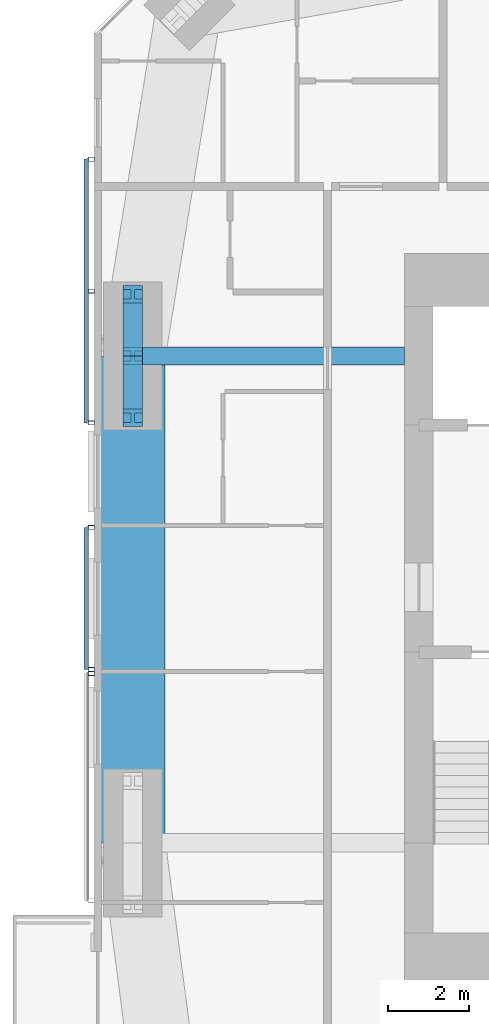
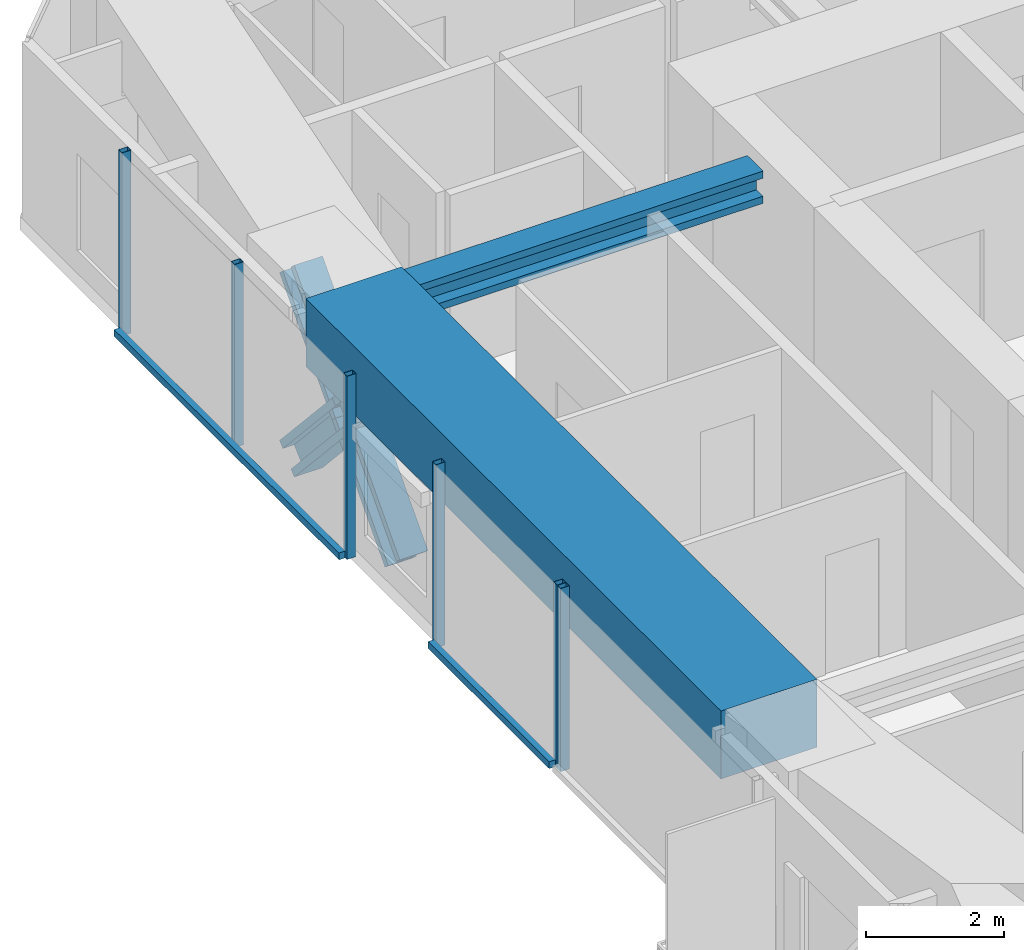
# One storey, part 6 of 23: 12 members, 2 beams, 3 elements without a shape of their own.
"""IFC4 building model written with IfcOpenShell, lengths in metres."""

from ifc_helpers import new_model, si_unit, direction, frame, origin, origin_2d, place, context, subcontext, project, spatial, rectangle, hollow_rectangle, i_section, extrude, material, material_profile, profile_set, type_object, element, aggregate, save


model = new_model("IFC4")

# Units and contexts
model_context = context("Model", 3, precision=1e-05, world=origin(), true_north=direction((0.0, 1.0)))
body_context = subcontext(model_context, "Body", "Model", "MODEL_VIEW")
ifc_project = project(units=[si_unit("LENGTHUNIT", "METRE"), si_unit("AREAUNIT", "SQUARE_METRE"), si_unit("VOLUMEUNIT", "CUBIC_METRE"), si_unit("PLANEANGLEUNIT", "RADIAN"), si_unit("MASSUNIT", "GRAM", prefix="KILO")], contexts=[model_context])

# Site, building, storey
site_placement = place(None, origin())
site = spatial("IfcSite", under=ifc_project, at=site_placement, CompositionType="ELEMENT")
building_placement = place(site_placement, origin())
building = spatial("IfcBuilding", under=site, at=building_placement, Name="Jalousie Tower", CompositionType="ELEMENT")
storey_placement = place(building_placement, frame((0.0, 0.0, 191.199951171875)))
storey = spatial("IfcBuildingStorey", under=building, at=storey_placement, Name="L52", CompositionType="ELEMENT", Elevation=191.199951171875)

# Beam
ifc_material_1 = material(Name="Steel ASTM A992 Grade 50", Category="steel")
ifc_material_profile_1 = material_profile(ifc_material_1, i_section(OverallWidth=0.45458984375, OverallDepth=0.569091796875, WebThickness=0.077880859375, FlangeThickness=0.124755859375, at=origin_2d()), Name="W14X730")
ifc_profile_set_1 = profile_set([ifc_material_profile_1], Name="Steel ASTM A992 Grade 50")
beam_type_1 = type_object("IfcBeamType", Name="LEAN COLLECTOR W14X730", PredefinedType="BEAM", material=ifc_profile_set_1)
beam_1_placement = place(storey_placement, frame((12.949951171875, 25.0, 2.825439453125), z_axis=(1.0, 0.0, 0.0), x_axis=(0.0, 1.0, 0.0)))
element("IfcBeam", 1, at=beam_1_placement, inside=storey, type_object=beam_type_1, Name="Lean collector under L53", PredefinedType="BEAM", context=body_context, shape_type="SweptSolid", body=[
    extrude(i_section(OverallWidth=0.45458984375, OverallDepth=0.569091796875, WebThickness=0.077880859375, FlangeThickness=0.124755859375, at=origin_2d()), origin(), (0.0, 0.0, 1.0), 6.699951171875),
])

# Members
ifc_material_2 = material(Name="Steel ASTM A992 Grade 50", Category="steel")
ifc_material_profile_2 = material_profile(ifc_material_2, i_section(OverallWidth=0.472412109375, OverallDepth=0.5791015625, WebThickness=0.094970703125, FlangeThickness=0.1298828125, at=origin_2d()), Name="W14X808")
ifc_profile_set_2 = profile_set([ifc_material_profile_2], Name="Steel ASTM A992 Grade 50")
member_type_1 = type_object("IfcMemberType", Name="PERIMETER BRACE W14X808", PredefinedType="BRACE", material=ifc_profile_set_2)
for number, where, z_axis, x_axis, name in (
    (2, (12.949951171875, 23.47509765625, -0.599853515625), (0.0, 0.673241284601, 0.739422864611), (-1.0, 0.0, 0.0), "Perimeter brace 13 L52 part 1"),
    (3, (12.949951171875, 25.0, 1.074951171875), (0.0, 0.673187629365, 0.739471713908), (-1.0, 0.0, 0.0), "Perimeter brace 13 L52 part 2"),
    (4, (12.949951171875, 26.52490234375, -0.599853515625), (0.0, -0.673241284601, 0.739422864611), (1.0, 0.0, 0.0), "Perimeter brace 13 L52 part 3"),
    (5, (12.949951171875, 25.0, 1.074951171875), (0.0, -0.673187629365, 0.739471713908), (1.0, 0.0, 0.0), "Perimeter brace 13 L52 part 4"),
):
    element("IfcMember", number, at=place(storey_placement, frame(where, z_axis=z_axis, x_axis=x_axis)), inside=storey, type_object=member_type_1, Name=name, PredefinedType="BRACE", context=body_context, shape_type="SweptSolid", body=[
        extrude(i_section(OverallWidth=0.472412109375, OverallDepth=0.5791015625, WebThickness=0.094970703125, FlangeThickness=0.1298828125, at=origin_2d()), origin(), (0.0, 0.0, 1.0), 2.26513671875),
    ])

# Beam
ifc_material_3 = material(Name="Concrete f'c 40 MPa", Category="concrete")
ifc_material_profile_3 = material_profile(ifc_material_3, rectangle(XDim=1.60009765625, YDim=1.199951171875, at=origin_2d()), Name="RC 1600x1200")
ifc_profile_set_3 = profile_set([ifc_material_profile_3], Name="Concrete f'c 40 MPa")
beam_type_2 = type_object("IfcBeamType", Name="RC BEAM 1600x1200", PredefinedType="BEAM", material=ifc_profile_set_3)
beam_2_placement = place(storey_placement, frame((12.949951171875, 25.0, 2.75), z_axis=(0.0, -1.0, 0.0), x_axis=(1.0, 0.0, 0.0)))
element("IfcBeam", 6, at=beam_2_placement, inside=storey, type_object=beam_type_2, Name="Edge band beam 13-14 under L53", PredefinedType="BEAM", context=body_context, shape_type="SweptSolid", body=[
    extrude(rectangle(XDim=1.60009765625, YDim=1.199951171875, at=origin_2d()), origin(), (0.0, 0.0, 1.0), 12.0),
])

# Curtain wall, members
ifc_material_4 = material(Name="Perforated aluminium sheet", Category="aluminium")
curtain_wall_type = type_object("IfcCurtainWallType", Name="SOLAR SCREEN SS-1", PredefinedType="USERDEFINED", material=ifc_material_4)
curtain_wall_1_placement = place(storey_placement, origin())
curtain_wall_1 = element("IfcCurtainWall", 7, at=curtain_wall_1_placement, inside=storey, type_object=curtain_wall_type, Name="Solar screen L52", ObjectType="SOLAR SCREEN SS-1", PredefinedType="USERDEFINED")
ifc_material_5 = material(Name="Steel ASTM A500 Grade C", Category="steel")
ifc_material_profile_4 = material_profile(ifc_material_5, hollow_rectangle(XDim=0.1015625, YDim=0.15234375, WallThickness=0.00634765625, at=origin_2d()), Name="HSS6X4X1/4")
ifc_profile_set_4 = profile_set([ifc_material_profile_4], Name="Steel ASTM A500 Grade C")
member_type_2 = type_object("IfcMemberType", Name="SOLAR SCREEN SS-1 MULLION", PredefinedType="MULLION", material=ifc_profile_set_4)
member_1_placement = place(storey_placement, frame((11.9287109375, 29.85009765625, -0.119873046875), z_axis=(0.0, 0.0, 1.0), x_axis=(0.0, -1.0, 0.0)))
member_1 = element("IfcMember", 8, at=member_1_placement, type_object=member_type_2, Name="SS1 post 1", PredefinedType="MULLION", context=body_context, shape_type="SweptSolid", body=[
    extrude(hollow_rectangle(XDim=0.1015625, YDim=0.15234375, WallThickness=0.00634765625, at=origin_2d()), origin(), (0.0, 0.0, 1.0), 3.22998046875),
])
member_2_placement = place(storey_placement, frame((11.9287109375, 26.60009765625, -0.119873046875), z_axis=(0.0, 0.0, 1.0), x_axis=(0.0, -1.0, 0.0)))
member_2 = element("IfcMember", 9, at=member_2_placement, type_object=member_type_2, Name="SS1 post 2", PredefinedType="MULLION", context=body_context, shape_type="SweptSolid", body=[
    extrude(hollow_rectangle(XDim=0.1015625, YDim=0.15234375, WallThickness=0.00634765625, at=origin_2d()), origin(), (0.0, 0.0, 1.0), 3.22998046875),
])
member_3_placement = place(storey_placement, frame((11.9287109375, 23.35009765625, -0.119873046875), z_axis=(0.0, 0.0, 1.0), x_axis=(0.0, -1.0, 0.0)))
member_3 = element("IfcMember", 10, at=member_3_placement, type_object=member_type_2, Name="SS1 post 3", PredefinedType="MULLION", context=body_context, shape_type="SweptSolid", body=[
    extrude(hollow_rectangle(XDim=0.1015625, YDim=0.15234375, WallThickness=0.00634765625, at=origin_2d()), origin(), (0.0, 0.0, 1.0), 3.22998046875),
])

curtain_wall_2_placement = place(storey_placement, origin())
curtain_wall_2 = element("IfcCurtainWall", 11, at=curtain_wall_2_placement, inside=storey, type_object=curtain_wall_type, Name="Solar screen L52", ObjectType="SOLAR SCREEN SS-1", PredefinedType="USERDEFINED")
member_4_placement = place(storey_placement, frame((11.9287109375, 20.77490234375, -0.119873046875), z_axis=(0.0, 0.0, 1.0), x_axis=(0.0, -1.0, 0.0)))
member_4 = element("IfcMember", 12, at=member_4_placement, type_object=member_type_2, Name="SS1 post 1", PredefinedType="MULLION", context=body_context, shape_type="SweptSolid", body=[
    extrude(hollow_rectangle(XDim=0.1015625, YDim=0.15234375, WallThickness=0.00634765625, at=origin_2d()), origin(), (0.0, 0.0, 1.0), 3.22998046875),
])
member_5_placement = place(storey_placement, frame((11.9287109375, 17.27490234375, -0.119873046875), z_axis=(0.0, 0.0, 1.0), x_axis=(0.0, -1.0, 0.0)))
member_5 = element("IfcMember", 13, at=member_5_placement, type_object=member_type_2, Name="SS1 post 2", PredefinedType="MULLION", context=body_context, shape_type="SweptSolid", body=[
    extrude(hollow_rectangle(XDim=0.1015625, YDim=0.15234375, WallThickness=0.00634765625, at=origin_2d()), origin(), (0.0, 0.0, 1.0), 3.22998046875),
])

# Curtain wall, member
curtain_wall_3_placement = place(storey_placement, origin())
curtain_wall_3 = element("IfcCurtainWall", 14, at=curtain_wall_3_placement, inside=storey, type_object=curtain_wall_type, Name="Solar screen L52", ObjectType="SOLAR SCREEN SS-1", PredefinedType="USERDEFINED")
member_6_placement = place(storey_placement, frame((11.9287109375, 17.175048828125, -0.119873046875), z_axis=(0.0, 0.0, 1.0), x_axis=(0.0, -1.0, 0.0)))
member_6 = element("IfcMember", 15, at=member_6_placement, type_object=member_type_2, Name="SS1 post 1", PredefinedType="MULLION", context=body_context, shape_type="SweptSolid", body=[
    extrude(hollow_rectangle(XDim=0.1015625, YDim=0.15234375, WallThickness=0.00634765625, at=origin_2d()), origin(), (0.0, 0.0, 1.0), 3.22998046875),
])
aggregate(curtain_wall_3, [member_6])

# Member
ifc_material_6 = material(Name="Extruded aluminium screen rail", Category="aluminium")
ifc_material_profile_5 = material_profile(ifc_material_6, rectangle(XDim=0.1015625, YDim=0.1201171875, at=origin_2d()), Name="RAIL 102x120")
ifc_profile_set_5 = profile_set([ifc_material_profile_5], Name="Extruded aluminium screen rail")
member_type_3 = type_object("IfcMemberType", Name="SOLAR SCREEN SS-1 TRANSOM", PredefinedType="USERDEFINED", material=ifc_profile_set_5)
member_7_placement = place(storey_placement, frame((11.8017578125, 29.85009765625, -0.06005859375), z_axis=(0.0, -1.0, 0.0), x_axis=(1.0, 0.0, 0.0)))
member_7 = element("IfcMember", 16, at=member_7_placement, type_object=member_type_3, Name="SS1 rail", ObjectType="TRANSOM", PredefinedType="USERDEFINED", context=body_context, shape_type="SweptSolid", body=[
    extrude(rectangle(XDim=0.1015625, YDim=0.1201171875, at=origin_2d()), origin(), (0.0, 0.0, 1.0), 6.5),
])

aggregate(curtain_wall_1, [member_1, member_2, member_3, member_7])

member_8_placement = place(storey_placement, frame((11.8017578125, 20.77490234375, -0.06005859375), z_axis=(0.0, -1.0, 0.0), x_axis=(1.0, 0.0, 0.0)))
member_8 = element("IfcMember", 17, at=member_8_placement, type_object=member_type_3, Name="SS1 rail", ObjectType="TRANSOM", PredefinedType="USERDEFINED", context=body_context, shape_type="SweptSolid", body=[
    extrude(rectangle(XDim=0.1015625, YDim=0.1201171875, at=origin_2d()), origin(), (0.0, 0.0, 1.0), 3.5),
])

aggregate(curtain_wall_2, [member_4, member_5, member_8])

save(model, "model.ifc")
